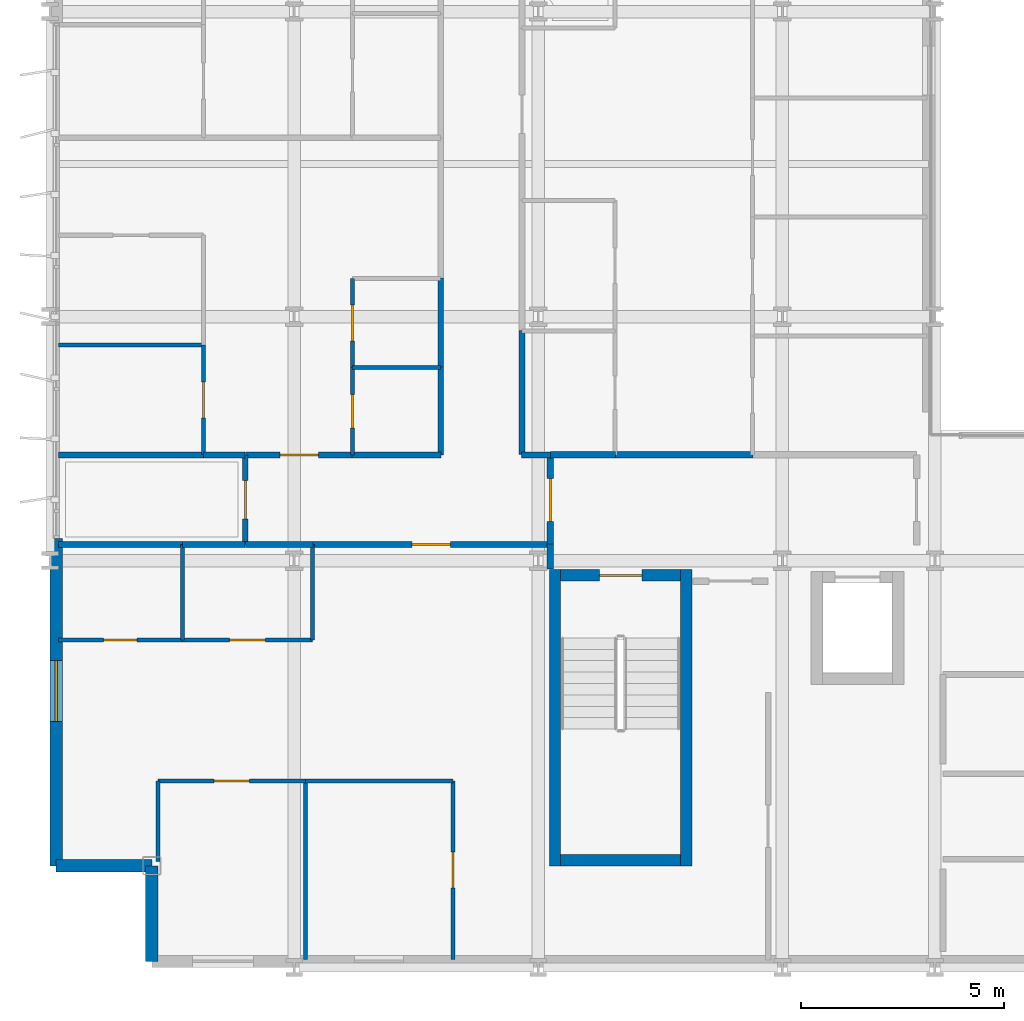
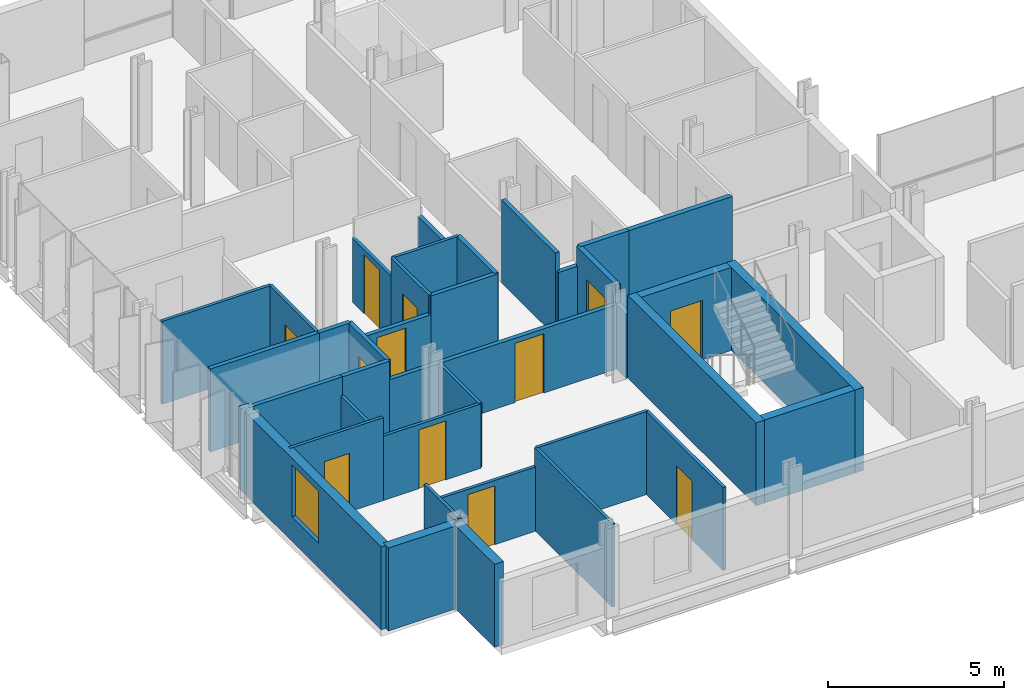
# One storey, part 27 of 38: 38 walls, 12 doors, 1 window, 13 openings.
"""IFC4 building model written with IfcOpenShell, lengths in metres."""

from ifc_helpers import new_model, si_unit, direction, frame, frame_2d, origin, place, context, subcontext, project, spatial, rectangle, extrude, material, layer, layer_set, type_object, element, fill, save


model = new_model("IFC4")

# Units and contexts
model_context = context("Model", 3, precision=1e-05, world=origin(), true_north=direction((0.0, 1.0)))
body_context = subcontext(model_context, "Body", "Model", "MODEL_VIEW")
ifc_project = project(units=[si_unit("LENGTHUNIT", "METRE"), si_unit("AREAUNIT", "SQUARE_METRE"), si_unit("VOLUMEUNIT", "CUBIC_METRE"), si_unit("PLANEANGLEUNIT", "RADIAN"), si_unit("MASSUNIT", "GRAM", prefix="KILO")], contexts=[model_context])

# Site, building, storey
site_placement = place(None, origin())
site = spatial("IfcSite", under=ifc_project, at=site_placement, CompositionType="ELEMENT")
building_placement = place(site_placement, origin())
building = spatial("IfcBuilding", under=site, at=building_placement, Name="Brevholm Reach", CompositionType="ELEMENT")
storey_placement = place(building_placement, frame((0.0, 0.0, 59.0)))
storey = spatial("IfcBuildingStorey", under=building, at=storey_placement, Name="L16", CompositionType="ELEMENT", Elevation=59.0)

# Walls
ifc_material_1 = material(Name="Concrete C50/60", Category="concrete")
ifc_layer_1 = layer(ifc_material_1, 0.280029296875)
ifc_layer_set_1 = layer_set([ifc_layer_1], Name="Concrete C50/60")
wall_type_1 = type_object("IfcWallType", Name="WAL-COR-280", PredefinedType="SHEAR", material=ifc_layer_set_1)
for number, where, z_axis, x_axis, name in (
    (1, (12.409912109375, 2.5, 0.0), (0.0, 0.0, 1.0), (0.0, 1.0, 0.0), "L16 Escape Stair ST-1 Core Wall W"),
    (2, (15.639892578125, 2.5, 0.0), (0.0, 0.0, 1.0), (0.0, 1.0, 0.0), "L16 Escape Stair ST-1 Core Wall E"),
):
    element("IfcWall", number, at=place(storey_placement, frame(where, z_axis=z_axis, x_axis=x_axis)), inside=storey, type_object=wall_type_1, Name=name, PredefinedType="SHEAR", context=body_context, shape_type="SweptSolid", body=[
        extrude(rectangle(XDim=7.280029296875, YDim=0.280029296875, at=frame_2d((3.64013671875, 0.0))), origin(), (0.0, 0.0, 1.0), 2.8701171875),
    ])
wall_1_placement = place(storey_placement, frame((12.550048828125, 2.639892578125, 0.0), z_axis=(0.0, 0.0, 1.0), x_axis=(1.0, 0.0, 0.0)))
element("IfcWall", 3, at=wall_1_placement, inside=storey, type_object=wall_type_1, Name="L16 Escape Stair ST-1 Core Wall S", PredefinedType="SHEAR", context=body_context, shape_type="SweptSolid", body=[
    extrude(rectangle(XDim=2.949951171875, YDim=0.280029296875, at=frame_2d((1.47509765625, 0.0))), origin(), (0.0, 0.0, 1.0), 2.8701171875),
])

# Wall, opening, door
wall_2_placement = place(storey_placement, frame((15.5, 9.639892578125, 0.0), z_axis=(0.0, 0.0, 1.0), x_axis=(-1.0, 0.0, 0.0)))
wall_2 = element("IfcWall", 4, at=wall_2_placement, inside=storey, type_object=wall_type_1, Name="L16 Escape Stair ST-1 Core Wall N", PredefinedType="SHEAR", context=body_context, shape_type="SweptSolid", body=[
    extrude(rectangle(XDim=2.949951171875, YDim=0.280029296875, at=frame_2d((1.47509765625, 0.0))), origin(), (0.0, 0.0, 1.0), 2.8701171875),
])
opening_1_placement = place(wall_2_placement, frame((0.949951171875, 0.0, 0.0)))
opening_1 = element("IfcOpeningElement", 5, at=opening_1_placement, cuts=wall_2, Name="Opening SD-ST-1", PredefinedType="OPENING", context=body_context, shape_type="SweptSolid", body=[
    extrude(rectangle(XDim=1.050048828125, YDim=2.06005859375, at=frame_2d((0.52490234375, 1.030029296875))), frame((0.0, 0.14990234375, 0.0), z_axis=(0.0, -1.0, 0.0), x_axis=(1.0, 0.0, 0.0)), (0.0, 0.0, 1.0), 0.300048828125),
])
ifc_material_2 = material(Name="Hardwood-Lipped Steel-Core Fire and Smoke Door", Category="steel")
door_type_1 = type_object("IfcDoorType", Name="DOR-INT-FD60S", OperationType="NOTDEFINED", PredefinedType="DOOR", material=ifc_material_2)
door_1_placement = place(opening_1_placement, origin())
door_1 = element("IfcDoor", 6, at=door_1_placement, inside=storey, type_object=door_type_1, Name="L16 Protected Stair ST-1 Lobby Door", OperationType="SINGLE_SWING_RIGHT", OverallHeight=2.06005859375, OverallWidth=1.050048828125, PredefinedType="DOOR", context=body_context, shape_type="SweptSolid", body=[
    extrude(rectangle(XDim=1.050048828125, YDim=2.06005859375, at=frame_2d((0.52490234375, 1.030029296875))), frame((0.0, 0.02490234375, 0.0), z_axis=(0.0, -1.0, 0.0), x_axis=(1.0, 0.0, 0.0)), (0.0, 0.0, 1.0), 0.050048828125),
])
fill(opening_1, door_1)

# Walls
ifc_material_3 = material(Name="Concrete C40/50", Category="concrete")
ifc_layer_2 = layer(ifc_material_3, 0.300048828125)
ifc_layer_set_2 = layer_set([ifc_layer_2], Name="Concrete C40/50")
wall_type_2 = type_object("IfcWallType", Name="WAL-EXT-300", PredefinedType="STANDARD", material=ifc_layer_set_2)
for number, where, z_axis, x_axis, name in (
    (7, (2.5, 2.5, 0.0), (0.0, 0.0, 1.0), (0.0, -1.0, 0.0), "L16 Facade Wall WAL-L16-CSW1"),
    (8, (0.14990234375, 2.5, 0.0), (0.0, 0.0, 1.0), (1.0, 0.0, 0.0), "L16 Facade Wall WAL-L16-CSW2"),
):
    element("IfcWall", number, at=place(storey_placement, frame(where, z_axis=z_axis, x_axis=x_axis)), inside=storey, type_object=wall_type_2, Name=name, PredefinedType="STANDARD", context=body_context, shape_type="SweptSolid", body=[
        extrude(rectangle(XDim=2.35009765625, YDim=0.300048828125, at=frame_2d((1.175048828125, 0.0))), origin(), (0.0, 0.0, 1.0), 2.8701171875),
    ])

# Wall, opening, window
wall_3_placement = place(storey_placement, frame((0.14990234375, 10.550048828125, 0.0), z_axis=(0.0, 0.0, 1.0), x_axis=(0.0, -1.0, 0.0)))
wall_3 = element("IfcWall", 9, at=wall_3_placement, inside=storey, type_object=wall_type_2, Name="L16 Facade Wall WAL-L16-W-S", PredefinedType="STANDARD", context=body_context, shape_type="SweptSolid", body=[
    extrude(rectangle(XDim=8.050048828125, YDim=0.300048828125, at=frame_2d((4.02490234375, 0.0))), origin(), (0.0, 0.0, 1.0), 2.8701171875),
])
opening_2_placement = place(wall_3_placement, frame((3.0, 0.0, 0.85009765625)))
opening_2 = element("IfcOpeningElement", 10, at=opening_2_placement, cuts=wall_3, Name="Opening WN-05", PredefinedType="OPENING", context=body_context, shape_type="SweptSolid", body=[
    extrude(rectangle(XDim=1.5, YDim=1.800048828125, at=frame_2d((0.75, 0.89990234375))), frame((0.0, 0.159912109375, 0.0), z_axis=(0.0, -1.0, 0.0), x_axis=(1.0, 0.0, 0.0)), (0.0, 0.0, 1.0), 0.320068359375),
])
ifc_material_4 = material(Name="Dark Anodised Aluminium and Solar-Control IGU Glass", Category="aluminium")
window_type = type_object("IfcWindowType", Name="WIN-RES-1500", PartitioningType="SINGLE_PANEL", PredefinedType="WINDOW", material=ifc_material_4)
window_placement = place(opening_2_placement, origin())
window = element("IfcWindow", 11, at=window_placement, inside=storey, type_object=window_type, Name="L16 Window WIN-L16-WS-1", OverallHeight=1.800048828125, OverallWidth=1.5, PartitioningType="SINGLE_PANEL", PredefinedType="WINDOW", context=body_context, shape_type="SweptSolid", body=[
    extrude(rectangle(XDim=1.5, YDim=1.800048828125, at=frame_2d((0.75, 0.89990234375))), frame((0.0, 0.030029296875, 0.0), z_axis=(0.0, -1.0, 0.0), x_axis=(1.0, 0.0, 0.0)), (0.0, 0.0, 1.0), 0.06005859375),
])
fill(opening_2, window)

# Wall
ifc_material_5 = material(Name="Moisture-Resistant Acoustic Gypsum Stud Partition 100 mm", Category="gypsum")
ifc_layer_3 = layer(ifc_material_5, 0.10009765625)
ifc_layer_set_3 = layer_set([ifc_layer_3], Name="Moisture-Resistant Acoustic Gypsum Stud Partition 100 mm")
wall_type_3 = type_object("IfcWallType", Name="WAL-PRT-100", PredefinedType="PARTITIONING", material=ifc_layer_set_3)
wall_4_placement = place(storey_placement, frame((3.25, 8.053955078125, 0.0), z_axis=(0.0, 0.0, 1.0), x_axis=(0.0, 1.0, 0.0)))
element("IfcWall", 12, at=wall_4_placement, inside=storey, type_object=wall_type_3, Name="L16 Internal Partition 059", PredefinedType="PARTITIONING", context=body_context, shape_type="SweptSolid", body=[
    extrude(rectangle(XDim=2.345947265625, YDim=0.10009765625, at=frame_2d((1.1728515625, 0.0))), origin(), (0.0, 0.0, 1.0), 2.224853515625),
])

# Wall, opening, door
wall_5_placement = place(storey_placement, frame((0.199951171875, 8.053955078125, 0.0), z_axis=(0.0, 0.0, 1.0), x_axis=(1.0, 0.0, 0.0)))
wall_5 = element("IfcWall", 13, at=wall_5_placement, inside=storey, type_object=wall_type_3, Name="L16 Internal Partition 060", PredefinedType="PARTITIONING", context=body_context, shape_type="SweptSolid", body=[
    extrude(rectangle(XDim=3.050048828125, YDim=0.10009765625, at=frame_2d((1.52490234375, 0.0))), origin(), (0.0, 0.0, 1.0), 2.8701171875),
])
opening_3_placement = place(wall_5_placement, frame((1.114990234375, 0.0, 0.0)))
opening_3 = element("IfcOpeningElement", 14, at=opening_3_placement, cuts=wall_5, Name="Opening ID-03", PredefinedType="OPENING", context=body_context, shape_type="SweptSolid", body=[
    extrude(rectangle(XDim=0.820068359375, YDim=2.02001953125, at=frame_2d((0.41015625, 1.010009765625))), frame((0.0, 0.06005859375, 0.0), z_axis=(0.0, -1.0, 0.0), x_axis=(1.0, 0.0, 0.0)), (0.0, 0.0, 1.0), 0.1201171875),
])
ifc_material_6 = material(Name="Moisture-Resistant Painted Timber Internal Bathroom Door", Category="wood")
door_type_2 = type_object("IfcDoorType", Name="DOR-BATH-820", OperationType="NOTDEFINED", PredefinedType="DOOR", material=ifc_material_6)
door_2_placement = place(opening_3_placement, origin())
door_2 = element("IfcDoor", 15, at=door_2_placement, inside=storey, type_object=door_type_2, Name="L16 Internal Door 022", OperationType="SINGLE_SWING_RIGHT", OverallHeight=2.02001953125, OverallWidth=0.820068359375, PredefinedType="DOOR", context=body_context, shape_type="SweptSolid", body=[
    extrude(rectangle(XDim=0.820068359375, YDim=2.02001953125, at=frame_2d((0.41015625, 1.010009765625))), frame((0.0, 0.02490234375, 0.0), z_axis=(0.0, -1.0, 0.0), x_axis=(1.0, 0.0, 0.0)), (0.0, 0.0, 1.0), 0.050048828125),
])
fill(opening_3, door_2)

wall_6_placement = place(storey_placement, frame((3.25390625, 8.053955078125, 0.0), z_axis=(0.0, 0.0, 1.0), x_axis=(1.0, 0.0, 0.0)))
wall_6 = element("IfcWall", 16, at=wall_6_placement, inside=storey, type_object=wall_type_3, Name="L16 Internal Partition 062", PredefinedType="PARTITIONING", context=body_context, shape_type="SweptSolid", body=[
    extrude(rectangle(XDim=3.196044921875, YDim=0.10009765625, at=frame_2d((1.59814453125, 0.0))), origin(), (0.0, 0.0, 1.0), 2.224853515625),
])
opening_4_placement = place(wall_6_placement, frame((1.157958984375, 0.0, 0.0)))
opening_4 = element("IfcOpeningElement", 17, at=opening_4_placement, cuts=wall_6, Name="Opening ID-01", PredefinedType="OPENING", context=body_context, shape_type="SweptSolid", body=[
    extrude(rectangle(XDim=0.8798828125, YDim=2.0400390625, at=frame_2d((0.43994140625, 1.02001953125))), frame((0.0, 0.06005859375, 0.0), z_axis=(0.0, -1.0, 0.0), x_axis=(1.0, 0.0, 0.0)), (0.0, 0.0, 1.0), 0.1201171875),
])
ifc_material_7 = material(Name="Lacquered Ash Solid-Core Acoustic Internal Door", Category="timber")
door_type_3 = type_object("IfcDoorType", Name="DOR-INT-880", OperationType="NOTDEFINED", PredefinedType="DOOR", material=ifc_material_7)
door_3_placement = place(opening_4_placement, origin())
door_3 = element("IfcDoor", 18, at=door_3_placement, inside=storey, type_object=door_type_3, Name="L16 Internal Door 023", OperationType="SINGLE_SWING_LEFT", OverallHeight=2.0400390625, OverallWidth=0.8798828125, PredefinedType="DOOR", context=body_context, shape_type="SweptSolid", body=[
    extrude(rectangle(XDim=0.8798828125, YDim=2.0400390625, at=frame_2d((0.43994140625, 1.02001953125))), frame((0.0, 0.02490234375, 0.0), z_axis=(0.0, -1.0, 0.0), x_axis=(1.0, 0.0, 0.0)), (0.0, 0.0, 1.0), 0.050048828125),
])
fill(opening_4, door_3)

# Walls
wall_7_placement = place(storey_placement, frame((6.449951171875, 8.053955078125, 0.0), z_axis=(0.0, 0.0, 1.0), x_axis=(0.0, 1.0, 0.0)))
element("IfcWall", 19, at=wall_7_placement, inside=storey, type_object=wall_type_3, Name="L16 Internal Partition 063", PredefinedType="PARTITIONING", context=body_context, shape_type="SweptSolid", body=[
    extrude(rectangle(XDim=2.342041015625, YDim=0.10009765625, at=frame_2d((1.1708984375, 0.0))), origin(), (0.0, 0.0, 1.0), 2.224853515625),
])
wall_8_placement = place(storey_placement, frame((6.27490234375, 0.199951171875, 0.0), z_axis=(0.0, 0.0, 1.0), x_axis=(0.0, 1.0, 0.0)))
element("IfcWall", 20, at=wall_8_placement, inside=storey, type_object=wall_type_3, Name="L16 Internal Partition 065", PredefinedType="PARTITIONING", context=body_context, shape_type="SweptSolid", body=[
    extrude(rectangle(XDim=4.385986328125, YDim=0.10009765625, at=frame_2d((2.19287109375, 0.0))), origin(), (0.0, 0.0, 1.0), 2.8701171875),
])
wall_9_placement = place(storey_placement, frame((2.64990234375, 2.599365234375, 0.0), z_axis=(0.0, 0.0, 1.0), x_axis=(0.0, 1.0, 0.0)))
element("IfcWall", 21, at=wall_9_placement, inside=storey, type_object=wall_type_3, Name="L16 Internal Partition 066", PredefinedType="PARTITIONING", context=body_context, shape_type="SweptSolid", body=[
    extrude(rectangle(XDim=1.986572265625, YDim=0.10009765625, at=frame_2d((0.9931640625, 0.0))), origin(), (0.0, 0.0, 1.0), 2.8701171875),
])

# Wall, opening, door
wall_10_placement = place(storey_placement, frame((2.64990234375, 4.5859375, 0.0), z_axis=(0.0, 0.0, 1.0), x_axis=(1.0, 0.0, 0.0)))
wall_10 = element("IfcWall", 22, at=wall_10_placement, inside=storey, type_object=wall_type_3, Name="L16 Internal Partition 067", PredefinedType="PARTITIONING", context=body_context, shape_type="SweptSolid", body=[
    extrude(rectangle(XDim=3.625, YDim=0.10009765625, at=frame_2d((1.8125, 0.0))), origin(), (0.0, 0.0, 1.0), 2.224853515625),
])
opening_5_placement = place(wall_10_placement, frame((1.37255859375, 0.0, 0.0)))
opening_5 = element("IfcOpeningElement", 23, at=opening_5_placement, cuts=wall_10, Name="Opening ID-01", PredefinedType="OPENING", context=body_context, shape_type="SweptSolid", body=[
    extrude(rectangle(XDim=0.8798828125, YDim=2.0400390625, at=frame_2d((0.43994140625, 1.02001953125))), frame((0.0, 0.06005859375, 0.0), z_axis=(0.0, -1.0, 0.0), x_axis=(1.0, 0.0, 0.0)), (0.0, 0.0, 1.0), 0.1201171875),
])
door_4_placement = place(opening_5_placement, origin())
door_4 = element("IfcDoor", 24, at=door_4_placement, inside=storey, type_object=door_type_3, Name="L16 Internal Door 024", OperationType="SINGLE_SWING_RIGHT", OverallHeight=2.0400390625, OverallWidth=0.8798828125, PredefinedType="DOOR", context=body_context, shape_type="SweptSolid", body=[
    extrude(rectangle(XDim=0.8798828125, YDim=2.0400390625, at=frame_2d((0.43994140625, 1.02001953125))), frame((0.0, 0.02490234375, 0.0), z_axis=(0.0, -1.0, 0.0), x_axis=(1.0, 0.0, 0.0)), (0.0, 0.0, 1.0), 0.050048828125),
])
fill(opening_5, door_4)

wall_11_placement = place(storey_placement, frame((9.89990234375, 0.199951171875, 0.0), z_axis=(0.0, 0.0, 1.0), x_axis=(0.0, 1.0, 0.0)))
wall_11 = element("IfcWall", 25, at=wall_11_placement, inside=storey, type_object=wall_type_3, Name="L16 Internal Partition 068", PredefinedType="PARTITIONING", context=body_context, shape_type="SweptSolid", body=[
    extrude(rectangle(XDim=4.385986328125, YDim=0.10009765625, at=frame_2d((2.19287109375, 0.0))), origin(), (0.0, 0.0, 1.0), 2.8701171875),
])
opening_6_placement = place(wall_11_placement, frame((1.7529296875, 0.0, 0.0)))
opening_6 = element("IfcOpeningElement", 26, at=opening_6_placement, cuts=wall_11, Name="Opening ID-01", PredefinedType="OPENING", context=body_context, shape_type="SweptSolid", body=[
    extrude(rectangle(XDim=0.8798828125, YDim=2.0400390625, at=frame_2d((0.43994140625, 1.02001953125))), frame((0.0, 0.06005859375, 0.0), z_axis=(0.0, -1.0, 0.0), x_axis=(1.0, 0.0, 0.0)), (0.0, 0.0, 1.0), 0.1201171875),
])
door_5_placement = place(opening_6_placement, origin())
door_5 = element("IfcDoor", 27, at=door_5_placement, inside=storey, type_object=door_type_3, Name="L16 Internal Door 025", OperationType="SINGLE_SWING_LEFT", OverallHeight=2.0400390625, OverallWidth=0.8798828125, PredefinedType="DOOR", context=body_context, shape_type="SweptSolid", body=[
    extrude(rectangle(XDim=0.8798828125, YDim=2.0400390625, at=frame_2d((0.43994140625, 1.02001953125))), frame((0.0, 0.02490234375, 0.0), z_axis=(0.0, -1.0, 0.0), x_axis=(1.0, 0.0, 0.0)), (0.0, 0.0, 1.0), 0.050048828125),
])
fill(opening_6, door_5)

# Walls
wall_12_placement = place(storey_placement, frame((6.279052734375, 4.5859375, 0.0), z_axis=(0.0, 0.0, 1.0), x_axis=(1.0, 0.0, 0.0)))
element("IfcWall", 28, at=wall_12_placement, inside=storey, type_object=wall_type_3, Name="L16 Internal Partition 069", PredefinedType="PARTITIONING", context=body_context, shape_type="SweptSolid", body=[
    extrude(rectangle(XDim=3.620849609375, YDim=0.10009765625, at=frame_2d((1.810546875, 0.0))), origin(), (0.0, 0.0, 1.0), 2.8701171875),
])
wall_13_placement = place(storey_placement, frame((7.43798828125, 14.75, 0.0), z_axis=(0.0, 0.0, 1.0), x_axis=(1.0, 0.0, 0.0)))
element("IfcWall", 29, at=wall_13_placement, inside=storey, type_object=wall_type_3, Name="L16 Internal Partition 084", PredefinedType="PARTITIONING", context=body_context, shape_type="SweptSolid", body=[
    extrude(rectangle(XDim=2.157958984375, YDim=0.10009765625, at=frame_2d((1.0791015625, 0.0))), origin(), (0.0, 0.0, 1.0), 2.8701171875),
])

# Wall, opening, door
wall_14_placement = place(storey_placement, frame((7.43798828125, 12.60400390625, 0.0), z_axis=(0.0, 0.0, 1.0), x_axis=(0.0, 1.0, 0.0)))
wall_14 = element("IfcWall", 30, at=wall_14_placement, inside=storey, type_object=wall_type_3, Name="L16 Internal Partition 085", PredefinedType="PARTITIONING", context=body_context, shape_type="SweptSolid", body=[
    extrude(rectangle(XDim=2.14599609375, YDim=0.10009765625, at=frame_2d((1.072998046875, 0.0))), origin(), (0.0, 0.0, 1.0), 2.8701171875),
])
opening_7_placement = place(wall_14_placement, frame((0.6630859375, 0.0, 0.0)))
opening_7 = element("IfcOpeningElement", 31, at=opening_7_placement, cuts=wall_14, Name="Opening ID-03", PredefinedType="OPENING", context=body_context, shape_type="SweptSolid", body=[
    extrude(rectangle(XDim=0.820068359375, YDim=2.02001953125, at=frame_2d((0.41015625, 1.010009765625))), frame((0.0, 0.06005859375, 0.0), z_axis=(0.0, -1.0, 0.0), x_axis=(1.0, 0.0, 0.0)), (0.0, 0.0, 1.0), 0.1201171875),
])
door_6_placement = place(opening_7_placement, origin())
door_6 = element("IfcDoor", 32, at=door_6_placement, inside=storey, type_object=door_type_2, Name="L16 Internal Door 030", OperationType="SINGLE_SWING_RIGHT", OverallHeight=2.02001953125, OverallWidth=0.820068359375, PredefinedType="DOOR", context=body_context, shape_type="SweptSolid", body=[
    extrude(rectangle(XDim=0.820068359375, YDim=2.02001953125, at=frame_2d((0.41015625, 1.010009765625))), frame((0.0, 0.02490234375, 0.0), z_axis=(0.0, -1.0, 0.0), x_axis=(1.0, 0.0, 0.0)), (0.0, 0.0, 1.0), 0.050048828125),
])
fill(opening_7, door_6)

wall_15_placement = place(storey_placement, frame((7.43798828125, 14.75390625, 0.0), z_axis=(0.0, 0.0, 1.0), x_axis=(0.0, 1.0, 0.0)))
wall_15 = element("IfcWall", 33, at=wall_15_placement, inside=storey, type_object=wall_type_3, Name="L16 Internal Partition 087", PredefinedType="PARTITIONING", context=body_context, shape_type="SweptSolid", body=[
    extrude(rectangle(XDim=2.18017578125, YDim=0.10009765625, at=frame_2d((1.090087890625, 0.0))), origin(), (0.0, 0.0, 1.0), 2.224853515625),
])
opening_8_placement = place(wall_15_placement, frame((0.64990234375, 0.0, 0.0)))
opening_8 = element("IfcOpeningElement", 34, at=opening_8_placement, cuts=wall_15, Name="Opening ID-01", PredefinedType="OPENING", context=body_context, shape_type="SweptSolid", body=[
    extrude(rectangle(XDim=0.8798828125, YDim=2.0400390625, at=frame_2d((0.43994140625, 1.02001953125))), frame((0.0, 0.06005859375, 0.0), z_axis=(0.0, -1.0, 0.0), x_axis=(1.0, 0.0, 0.0)), (0.0, 0.0, 1.0), 0.1201171875),
])
door_7_placement = place(opening_8_placement, origin())
door_7 = element("IfcDoor", 35, at=door_7_placement, inside=storey, type_object=door_type_3, Name="L16 Internal Door 031", OperationType="SINGLE_SWING_LEFT", OverallHeight=2.0400390625, OverallWidth=0.8798828125, PredefinedType="DOOR", context=body_context, shape_type="SweptSolid", body=[
    extrude(rectangle(XDim=0.8798828125, YDim=2.0400390625, at=frame_2d((0.43994140625, 1.02001953125))), frame((0.0, 0.02490234375, 0.0), z_axis=(0.0, -1.0, 0.0), x_axis=(1.0, 0.0, 0.0)), (0.0, 0.0, 1.0), 0.050048828125),
])
fill(opening_8, door_7)

# Wall
wall_16_placement = place(storey_placement, frame((0.199951171875, 15.300048828125, 0.0), z_axis=(0.0, 0.0, 1.0), x_axis=(1.0, 0.0, 0.0)))
element("IfcWall", 36, at=wall_16_placement, inside=storey, type_object=wall_type_3, Name="L16 Internal Partition 088", PredefinedType="PARTITIONING", context=body_context, shape_type="SweptSolid", body=[
    extrude(rectangle(XDim=3.572021484375, YDim=0.10009765625, at=frame_2d((1.7861328125, 0.0))), origin(), (0.0, 0.0, 1.0), 2.8701171875),
])

# Wall, opening, door
wall_17_placement = place(storey_placement, frame((3.77197265625, 12.60400390625, 0.0), z_axis=(0.0, 0.0, 1.0), x_axis=(0.0, 1.0, 0.0)))
wall_17 = element("IfcWall", 37, at=wall_17_placement, inside=storey, type_object=wall_type_3, Name="L16 Internal Partition 089", PredefinedType="PARTITIONING", context=body_context, shape_type="SweptSolid", body=[
    extrude(rectangle(XDim=2.696044921875, YDim=0.10009765625, at=frame_2d((1.34814453125, 0.0))), origin(), (0.0, 0.0, 1.0), 2.8701171875),
])
opening_9_placement = place(wall_17_placement, frame((0.907958984375, 0.0, 0.0)))
opening_9 = element("IfcOpeningElement", 38, at=opening_9_placement, cuts=wall_17, Name="Opening ID-01", PredefinedType="OPENING", context=body_context, shape_type="SweptSolid", body=[
    extrude(rectangle(XDim=0.8798828125, YDim=2.0400390625, at=frame_2d((0.43994140625, 1.02001953125))), frame((0.0, 0.06005859375, 0.0), z_axis=(0.0, -1.0, 0.0), x_axis=(1.0, 0.0, 0.0)), (0.0, 0.0, 1.0), 0.1201171875),
])
door_8_placement = place(opening_9_placement, origin())
door_8 = element("IfcDoor", 39, at=door_8_placement, inside=storey, type_object=door_type_3, Name="L16 Internal Door 032", OperationType="SINGLE_SWING_RIGHT", OverallHeight=2.0400390625, OverallWidth=0.8798828125, PredefinedType="DOOR", context=body_context, shape_type="SweptSolid", body=[
    extrude(rectangle(XDim=0.8798828125, YDim=2.0400390625, at=frame_2d((0.43994140625, 1.02001953125))), frame((0.0, 0.02490234375, 0.0), z_axis=(0.0, -1.0, 0.0), x_axis=(1.0, 0.0, 0.0)), (0.0, 0.0, 1.0), 0.050048828125),
])
fill(opening_9, door_8)

# Wall
ifc_material_8 = material(Name="Twin-Stud Acoustic Fire-Rated Gypsum Partition 140 mm", Category="gypsum")
ifc_layer_4 = layer(ifc_material_8, 0.139892578125)
ifc_layer_set_4 = layer_set([ifc_layer_4], Name="Twin-Stud Acoustic Fire-Rated Gypsum Partition 140 mm")
wall_type_4 = type_object("IfcWallType", Name="WAL-PRT-140", PredefinedType="PARTITIONING", material=ifc_layer_set_4)
wall_18_placement = place(storey_placement, frame((4.800048828125, 10.39990234375, 0.0), z_axis=(0.0, 0.0, 1.0), x_axis=(1.0, 0.0, 0.0)))
element("IfcWall", 40, at=wall_18_placement, inside=storey, type_object=wall_type_4, Name="L16 Internal Partition 023", PredefinedType="PARTITIONING", context=body_context, shape_type="SweptSolid", body=[
    extrude(rectangle(XDim=1.6611328125, YDim=0.139892578125, at=frame_2d((0.83056640625, 0.0))), origin(), (0.0, 0.0, 1.0), 2.224853515625),
])

# Wall, opening, door
wall_19_placement = place(storey_placement, frame((6.442626953125, 10.39990234375, 0.0), z_axis=(0.0, 0.0, 1.0), x_axis=(1.0, 0.0, 0.0)))
wall_19 = element("IfcWall", 41, at=wall_19_placement, inside=storey, type_object=wall_type_4, Name="L16 Internal Partition 024", PredefinedType="PARTITIONING", context=body_context, shape_type="SweptSolid", body=[
    extrude(rectangle(XDim=5.853271484375, YDim=0.139892578125, at=frame_2d((2.9267578125, 0.0))), origin(), (0.0, 0.0, 1.0), 2.224853515625),
])
opening_10_placement = place(wall_19_placement, frame((2.45166015625, 0.0, 0.0)))
opening_10 = element("IfcOpeningElement", 42, at=opening_10_placement, cuts=wall_19, Name="Opening ID-30", PredefinedType="OPENING", context=body_context, shape_type="SweptSolid", body=[
    extrude(rectangle(XDim=0.949951171875, YDim=2.050048828125, at=frame_2d((0.47509765625, 1.02490234375))), frame((0.0, 0.079833984375, 0.0), z_axis=(0.0, -1.0, 0.0), x_axis=(1.0, 0.0, 0.0)), (0.0, 0.0, 1.0), 0.159912109375),
])
ifc_material_9 = material(Name="European Oak Veneered Solid-Core Fire Entrance Door", Category="timber")
door_type_4 = type_object("IfcDoorType", Name="DOR-FLT-FD30S", OperationType="NOTDEFINED", PredefinedType="DOOR", material=ifc_material_9)
door_9_placement = place(opening_10_placement, origin())
door_9 = element("IfcDoor", 43, at=door_9_placement, inside=storey, type_object=door_type_4, Name="L16 Internal Door 013", OperationType="SINGLE_SWING_LEFT", OverallHeight=2.050048828125, OverallWidth=0.949951171875, PredefinedType="DOOR", context=body_context, shape_type="SweptSolid", body=[
    extrude(rectangle(XDim=0.949951171875, YDim=2.050048828125, at=frame_2d((0.47509765625, 1.02490234375))), frame((0.0, 0.02490234375, 0.0), z_axis=(0.0, -1.0, 0.0), x_axis=(1.0, 0.0, 0.0)), (0.0, 0.0, 1.0), 0.050048828125),
])
fill(opening_10, door_9)

wall_20_placement = place(storey_placement, frame((4.800048828125, 10.39990234375, 0.0), z_axis=(0.0, 0.0, 1.0), x_axis=(0.0, 1.0, 0.0)))
wall_20 = element("IfcWall", 44, at=wall_20_placement, inside=storey, type_object=wall_type_4, Name="L16 Internal Partition 025", PredefinedType="PARTITIONING", context=body_context, shape_type="SweptSolid", body=[
    extrude(rectangle(XDim=2.2001953125, YDim=0.139892578125, at=frame_2d((1.10009765625, 0.0))), origin(), (0.0, 0.0, 1.0), 2.8701171875),
])
opening_11_placement = place(wall_20_placement, frame((0.625, 0.0, 0.0)))
opening_11 = element("IfcOpeningElement", 45, at=opening_11_placement, cuts=wall_20, Name="Opening ID-30", PredefinedType="OPENING", context=body_context, shape_type="SweptSolid", body=[
    extrude(rectangle(XDim=0.949951171875, YDim=2.050048828125, at=frame_2d((0.47509765625, 1.02490234375))), frame((0.0, 0.079833984375, 0.0), z_axis=(0.0, -1.0, 0.0), x_axis=(1.0, 0.0, 0.0)), (0.0, 0.0, 1.0), 0.159912109375),
])
door_10_placement = place(opening_11_placement, origin())
door_10 = element("IfcDoor", 46, at=door_10_placement, inside=storey, type_object=door_type_4, Name="L16 Internal Door 014", OperationType="SINGLE_SWING_RIGHT", OverallHeight=2.050048828125, OverallWidth=0.949951171875, PredefinedType="DOOR", context=body_context, shape_type="SweptSolid", body=[
    extrude(rectangle(XDim=0.949951171875, YDim=2.050048828125, at=frame_2d((0.47509765625, 1.02490234375))), frame((0.0, 0.02490234375, 0.0), z_axis=(0.0, -1.0, 0.0), x_axis=(1.0, 0.0, 0.0)), (0.0, 0.0, 1.0), 0.050048828125),
])
fill(opening_11, door_10)

# Wall
wall_21_placement = place(storey_placement, frame((7.4267578125, 12.60009765625, 0.0), z_axis=(0.0, 0.0, 1.0), x_axis=(1.0, 0.0, 0.0)))
element("IfcWall", 47, at=wall_21_placement, inside=storey, type_object=wall_type_4, Name="L16 Internal Partition 026", PredefinedType="PARTITIONING", context=body_context, shape_type="SweptSolid", body=[
    extrude(rectangle(XDim=2.1806640625, YDim=0.139892578125, at=frame_2d((1.09033203125, 0.0))), origin(), (0.0, 0.0, 1.0), 2.8701171875),
])

# Wall, opening, door
wall_22_placement = place(storey_placement, frame((4.800048828125, 12.60009765625, 0.0), z_axis=(0.0, 0.0, 1.0), x_axis=(1.0, 0.0, 0.0)))
wall_22 = element("IfcWall", 48, at=wall_22_placement, inside=storey, type_object=wall_type_4, Name="L16 Internal Partition 027", PredefinedType="PARTITIONING", context=body_context, shape_type="SweptSolid", body=[
    extrude(rectangle(XDim=2.645263671875, YDim=0.139892578125, at=frame_2d((1.32275390625, 0.0))), origin(), (0.0, 0.0, 1.0), 2.224853515625),
])
opening_12_placement = place(wall_22_placement, frame((0.84765625, 0.0, 0.0)))
opening_12 = element("IfcOpeningElement", 49, at=opening_12_placement, cuts=wall_22, Name="Opening ID-30", PredefinedType="OPENING", context=body_context, shape_type="SweptSolid", body=[
    extrude(rectangle(XDim=0.949951171875, YDim=2.050048828125, at=frame_2d((0.47509765625, 1.02490234375))), frame((0.0, 0.079833984375, 0.0), z_axis=(0.0, -1.0, 0.0), x_axis=(1.0, 0.0, 0.0)), (0.0, 0.0, 1.0), 0.159912109375),
])
door_11_placement = place(opening_12_placement, origin())
door_11 = element("IfcDoor", 50, at=door_11_placement, inside=storey, type_object=door_type_4, Name="L16 Internal Door 015", OperationType="SINGLE_SWING_LEFT", OverallHeight=2.050048828125, OverallWidth=0.949951171875, PredefinedType="DOOR", context=body_context, shape_type="SweptSolid", body=[
    extrude(rectangle(XDim=0.949951171875, YDim=2.050048828125, at=frame_2d((0.47509765625, 1.02490234375))), frame((0.0, 0.02490234375, 0.0), z_axis=(0.0, -1.0, 0.0), x_axis=(1.0, 0.0, 0.0)), (0.0, 0.0, 1.0), 0.050048828125),
])
fill(opening_12, door_11)

# Walls
wall_23_placement = place(storey_placement, frame((11.5927734375, 12.60009765625, 0.0), z_axis=(0.0, 0.0, 1.0), x_axis=(1.0, 0.0, 0.0)))
element("IfcWall", 51, at=wall_23_placement, inside=storey, type_object=wall_type_4, Name="L16 Internal Partition 028", PredefinedType="PARTITIONING", context=body_context, shape_type="SweptSolid", body=[
    extrude(rectangle(XDim=0.703125, YDim=0.139892578125, at=frame_2d((0.3515625, 0.0))), origin(), (0.0, 0.0, 1.0), 2.224853515625),
])
wall_24_placement = place(storey_placement, frame((9.60009765625, 12.60400390625, 0.0), z_axis=(0.0, 0.0, 1.0), x_axis=(0.0, 1.0, 0.0)))
element("IfcWall", 52, at=wall_24_placement, inside=storey, type_object=wall_type_4, Name="L16 Internal Partition 032", PredefinedType="PARTITIONING", context=body_context, shape_type="SweptSolid", body=[
    extrude(rectangle(XDim=2.1572265625, YDim=0.139892578125, at=frame_2d((1.07861328125, 0.0))), origin(), (0.0, 0.0, 1.0), 2.8701171875),
])
wall_25_placement = place(storey_placement, frame((9.60009765625, 14.74267578125, 0.0), z_axis=(0.0, 0.0, 1.0), x_axis=(0.0, 1.0, 0.0)))
element("IfcWall", 53, at=wall_25_placement, inside=storey, type_object=wall_type_4, Name="L16 Internal Partition 033", PredefinedType="PARTITIONING", context=body_context, shape_type="SweptSolid", body=[
    extrude(rectangle(XDim=2.20263671875, YDim=0.139892578125, at=frame_2d((1.101318359375, 0.0))), origin(), (0.0, 0.0, 1.0), 2.224853515625),
])
wall_26_placement = place(storey_placement, frame((11.60009765625, 12.60400390625, 0.0), z_axis=(0.0, 0.0, 1.0), x_axis=(0.0, 1.0, 0.0)))
element("IfcWall", 54, at=wall_26_placement, inside=storey, type_object=wall_type_4, Name="L16 Internal Partition 038", PredefinedType="PARTITIONING", context=body_context, shape_type="SweptSolid", body=[
    extrude(rectangle(XDim=3.057373046875, YDim=0.139892578125, at=frame_2d((1.52880859375, 0.0))), origin(), (0.0, 0.0, 1.0), 2.8701171875),
])
wall_27_placement = place(storey_placement, frame((0.199951171875, 10.39990234375, 0.0), z_axis=(0.0, 0.0, 1.0), x_axis=(1.0, 0.0, 0.0)))
element("IfcWall", 55, at=wall_27_placement, inside=storey, type_object=wall_type_4, Name="L16 Internal Partition 061", PredefinedType="PARTITIONING", context=body_context, shape_type="SweptSolid", body=[
    extrude(rectangle(XDim=3.050048828125, YDim=0.139892578125, at=frame_2d((1.52490234375, 0.0))), origin(), (0.0, 0.0, 1.0), 2.8701171875),
])
wall_28_placement = place(storey_placement, frame((3.25390625, 10.39990234375, 0.0), z_axis=(0.0, 0.0, 1.0), x_axis=(1.0, 0.0, 0.0)))
element("IfcWall", 56, at=wall_28_placement, inside=storey, type_object=wall_type_4, Name="L16 Internal Partition 064", PredefinedType="PARTITIONING", context=body_context, shape_type="SweptSolid", body=[
    extrude(rectangle(XDim=1.5419921875, YDim=0.139892578125, at=frame_2d((0.77099609375, 0.0))), origin(), (0.0, 0.0, 1.0), 2.8701171875),
])
wall_29_placement = place(storey_placement, frame((0.199951171875, 12.60009765625, 0.0), z_axis=(0.0, 0.0, 1.0), x_axis=(1.0, 0.0, 0.0)))
element("IfcWall", 57, at=wall_29_placement, inside=storey, type_object=wall_type_4, Name="L16 Internal Partition 070", PredefinedType="PARTITIONING", context=body_context, shape_type="SweptSolid", body=[
    extrude(rectangle(XDim=3.583251953125, YDim=0.139892578125, at=frame_2d((1.79150390625, 0.0))), origin(), (0.0, 0.0, 1.0), 2.8701171875),
])
wall_30_placement = place(storey_placement, frame((3.7646484375, 12.60009765625, 0.0), z_axis=(0.0, 0.0, 1.0), x_axis=(1.0, 0.0, 0.0)))
element("IfcWall", 58, at=wall_30_placement, inside=storey, type_object=wall_type_4, Name="L16 Internal Partition 071", PredefinedType="PARTITIONING", context=body_context, shape_type="SweptSolid", body=[
    extrude(rectangle(XDim=1.03125, YDim=0.139892578125, at=frame_2d((0.515625, 0.0))), origin(), (0.0, 0.0, 1.0), 2.8701171875),
])

# Wall, opening, door
ifc_material_10 = material(Name="Twin-Frame Fire-Rated Gypsum Board and Mineral Wool 160 mm", Category="gypsum")
ifc_layer_5 = layer(ifc_material_10, 0.159912109375)
ifc_layer_set_5 = layer_set([ifc_layer_5], Name="Twin-Frame Fire-Rated Gypsum Board and Mineral Wool 160 mm")
wall_type_5 = type_object("IfcWallType", Name="WAL-PRT-160", PredefinedType="PARTITIONING", material=ifc_layer_set_5)
wall_31_placement = place(storey_placement, frame((12.300048828125, 10.388671875, 0.0), z_axis=(0.0, 0.0, 1.0), x_axis=(0.0, 1.0, 0.0)))
wall_31 = element("IfcWall", 59, at=wall_31_placement, inside=storey, type_object=wall_type_5, Name="L16 Internal Partition 013", PredefinedType="PARTITIONING", context=body_context, shape_type="SweptSolid", body=[
    extrude(rectangle(XDim=2.21142578125, YDim=0.159912109375, at=frame_2d((1.105712890625, 0.0))), origin(), (0.0, 0.0, 1.0), 2.8701171875),
])
opening_13_placement = place(wall_31_placement, frame((0.58056640625, 0.0, 0.0)))
opening_13 = element("IfcOpeningElement", 60, at=opening_13_placement, cuts=wall_31, Name="Opening FD-01", PredefinedType="OPENING", context=body_context, shape_type="SweptSolid", body=[
    extrude(rectangle(XDim=1.050048828125, YDim=2.06005859375, at=frame_2d((0.52490234375, 1.030029296875))), frame((0.0, 0.08984375, 0.0), z_axis=(0.0, -1.0, 0.0), x_axis=(1.0, 0.0, 0.0)), (0.0, 0.0, 1.0), 0.179931640625),
])
door_12_placement = place(opening_13_placement, origin())
door_12 = element("IfcDoor", 61, at=door_12_placement, inside=storey, type_object=door_type_1, Name="L16 Internal Door 009", OperationType="SINGLE_SWING_LEFT", OverallHeight=2.06005859375, OverallWidth=1.050048828125, PredefinedType="DOOR", context=body_context, shape_type="SweptSolid", body=[
    extrude(rectangle(XDim=1.050048828125, YDim=2.06005859375, at=frame_2d((0.52490234375, 1.030029296875))), frame((0.0, 0.02490234375, 0.0), z_axis=(0.0, -1.0, 0.0), x_axis=(1.0, 0.0, 0.0)), (0.0, 0.0, 1.0), 0.050048828125),
])
fill(opening_13, door_12)

# Walls
wall_32_placement = place(storey_placement, frame((12.300048828125, 9.7900390625, 0.0), z_axis=(0.0, 0.0, 1.0), x_axis=(0.0, 1.0, 0.0)))
element("IfcWall", 62, at=wall_32_placement, inside=storey, type_object=wall_type_5, Name="L16 Internal Partition 015", PredefinedType="PARTITIONING", context=body_context, shape_type="SweptSolid", body=[
    extrude(rectangle(XDim=0.6171875, YDim=0.159912109375, at=frame_2d((0.30859375, 0.0))), origin(), (0.0, 0.0, 1.0), 2.224853515625),
])
wall_33_placement = place(storey_placement, frame((12.300048828125, 12.60009765625, 0.0), z_axis=(0.0, 0.0, 1.0), x_axis=(1.0, 0.0, 0.0)))
element("IfcWall", 63, at=wall_33_placement, inside=storey, type_object=wall_type_5, Name="L16 Internal Partition 016", PredefinedType="PARTITIONING", context=body_context, shape_type="SweptSolid", body=[
    extrude(rectangle(XDim=1.600341796875, YDim=0.159912109375, at=frame_2d((0.80029296875, 0.0))), origin(), (0.0, 0.0, 1.0), 2.8701171875),
])
wall_34_placement = place(storey_placement, frame((13.881591796875, 12.60009765625, 0.0), z_axis=(0.0, 0.0, 1.0), x_axis=(1.0, 0.0, 0.0)))
element("IfcWall", 64, at=wall_34_placement, inside=storey, type_object=wall_type_5, Name="L16 Internal Partition 018", PredefinedType="PARTITIONING", context=body_context, shape_type="SweptSolid", body=[
    extrude(rectangle(XDim=3.396728515625, YDim=0.159912109375, at=frame_2d((1.6982421875, 0.0))), origin(), (0.0, 0.0, 1.0), 2.8701171875),
])

save(model, "model.ifc")
